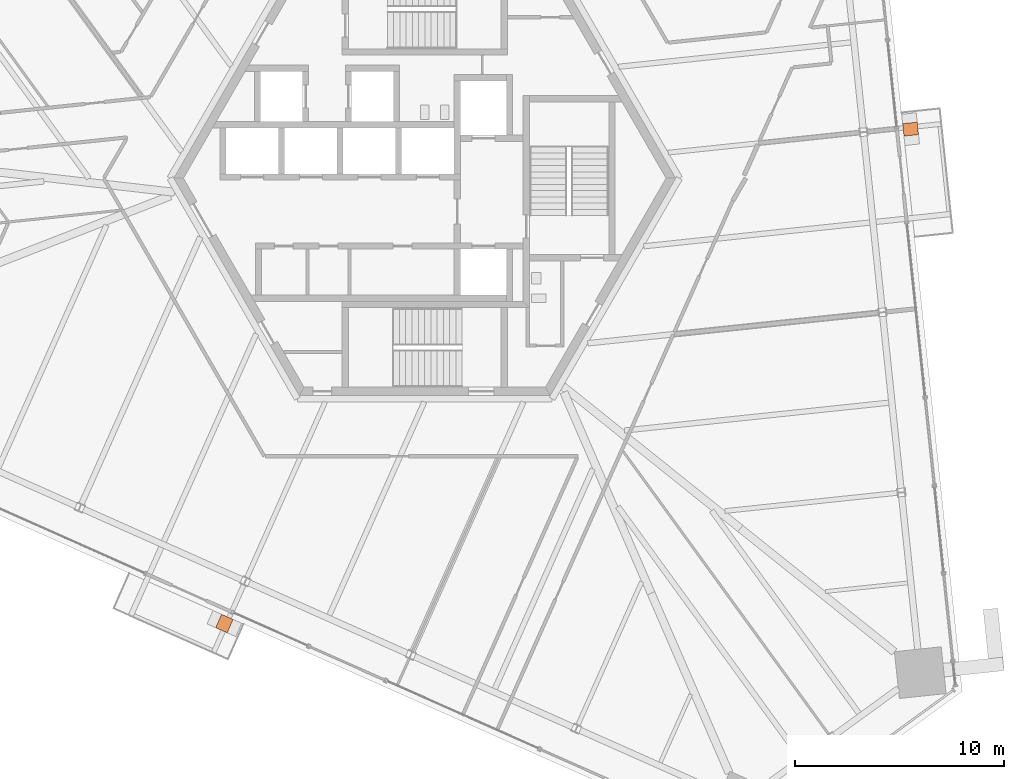
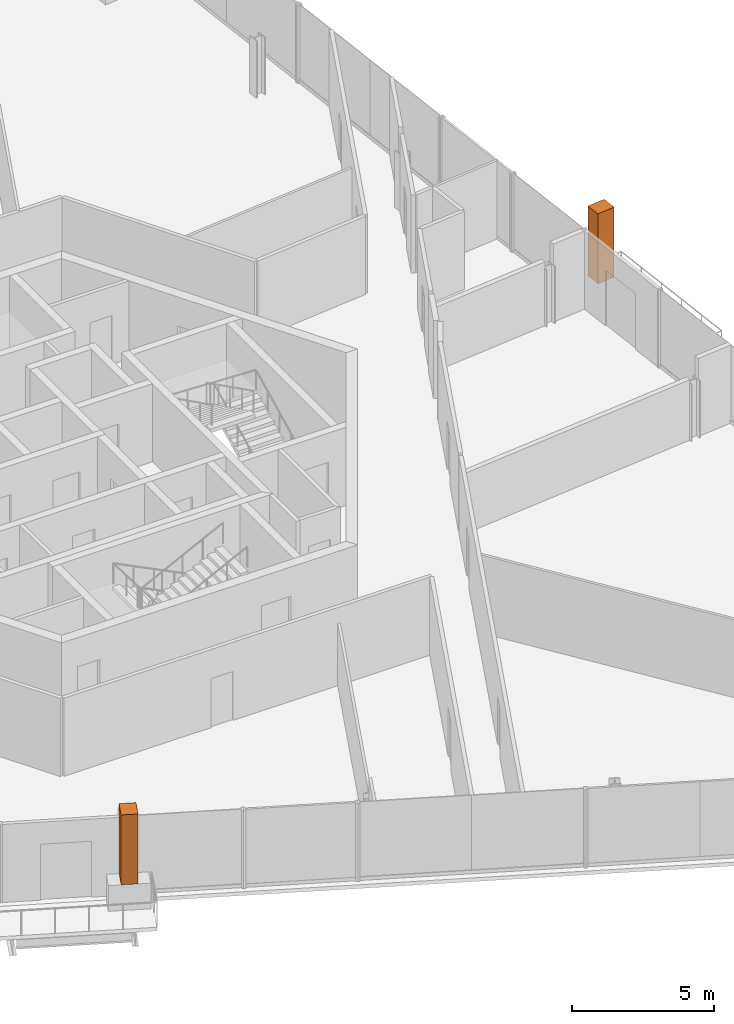
# One storey, part 25 of 25: 2 geographic elements.
"""IFC4 building model written with IfcOpenShell, lengths in metres."""

from ifc_helpers import new_model, si_unit, direction, frame, origin, origin_2d, place, context, subcontext, project, spatial, rectangle, extrude, source, transform, mapped, material, type_object, element, save


model = new_model("IFC4")

# Units and contexts
model_context = context("Model", 3, precision=1e-05, world=origin(), true_north=direction((0.0, 1.0)))
body_context = subcontext(model_context, "Body", "Model", "MODEL_VIEW")
ifc_project = project(units=[si_unit("LENGTHUNIT", "METRE"), si_unit("AREAUNIT", "SQUARE_METRE"), si_unit("VOLUMEUNIT", "CUBIC_METRE"), si_unit("PLANEANGLEUNIT", "RADIAN"), si_unit("MASSUNIT", "GRAM", prefix="KILO")], contexts=[model_context])

# Site, building, storey
site_placement = place(None, origin())
site = spatial("IfcSite", under=ifc_project, at=site_placement, CompositionType="ELEMENT")
building_placement = place(site_placement, origin())
building = spatial("IfcBuilding", under=site, at=building_placement, Name="Triune Harvest Tower", CompositionType="ELEMENT")
storey_placement = place(building_placement, frame((0.0, 0.0, 90.89990234375)))
storey = spatial("IfcBuildingStorey", under=building, at=storey_placement, Name="L22", CompositionType="ELEMENT", Elevation=90.89990234375)

# Geographic elements
ifc_material = material(Name="TREE-1 tree")
geographic_element_type = type_object("IfcGeographicElementType", Name="TREE-1 tree", PredefinedType="USERDEFINED", material=ifc_material)
shared_shape = source(origin(), body_context, "Body", "SweptSolid", [
    extrude(rectangle(XDim=0.60009765625, YDim=0.699951171875, at=origin_2d()), origin(), (0.0, 0.0, 1.0), 3.0),
])
for number, where, z_axis, x_axis, name in (
    (1, (23.2294921875, 2.34814453125, 1.10009765625), (0.0, 0.0, 1.0), (-0.104527536558, 0.994521992769, 0.0), "Tree B2-F1 L22.6b"),
    (2, (-9.5810546875, -21.29150390625, 1.10009765625), (0.0, 0.0, 1.0), (0.913545207137, -0.406737205721, 0.0), "Tree B2-F5 L22.6b"),
):
    element("IfcGeographicElement", number, at=place(storey_placement, frame(where, z_axis=z_axis, x_axis=x_axis)), inside=storey, type_object=geographic_element_type, Name=name, ObjectType="TREE", PredefinedType="USERDEFINED", context=body_context, shape_type="MappedRepresentation", body=[
        mapped(shared_shape, transform((0.0, 0.0, 0.0), scale=1.0)),
    ])

save(model, "model.ifc")
